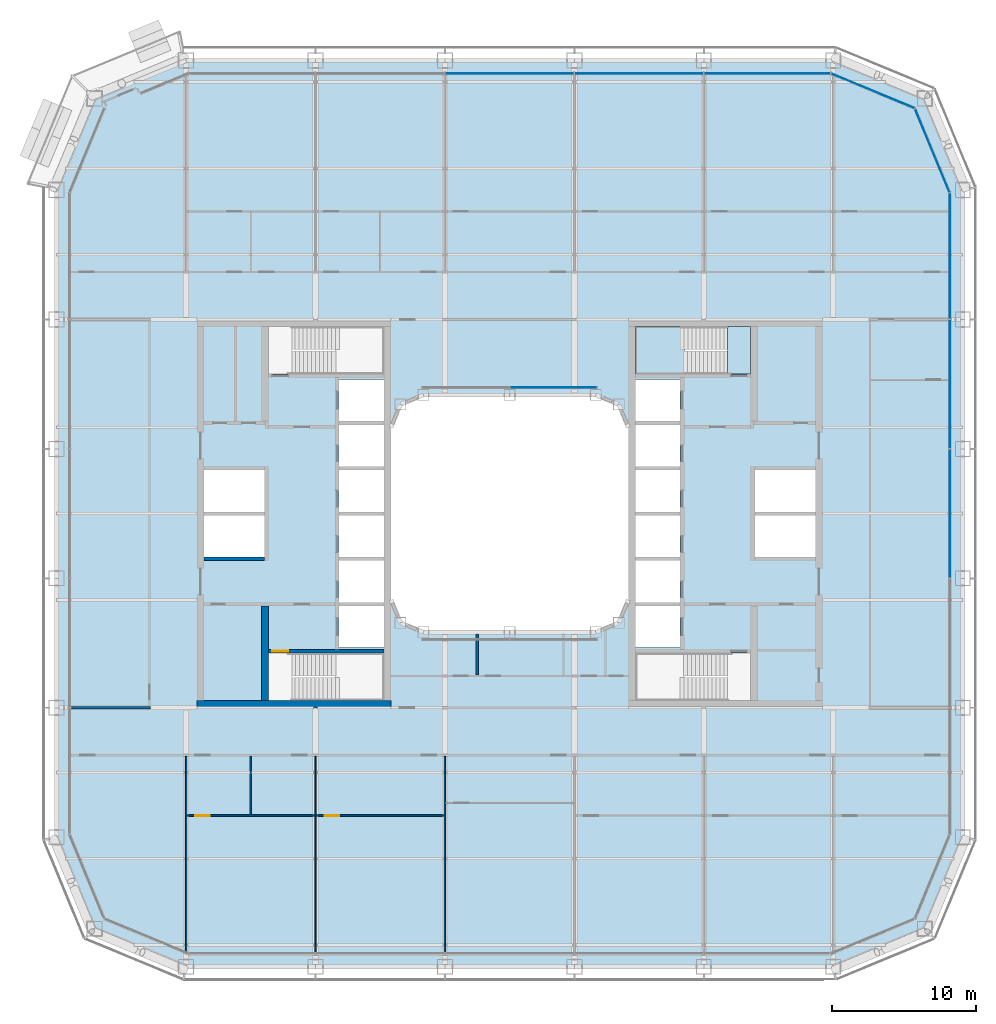
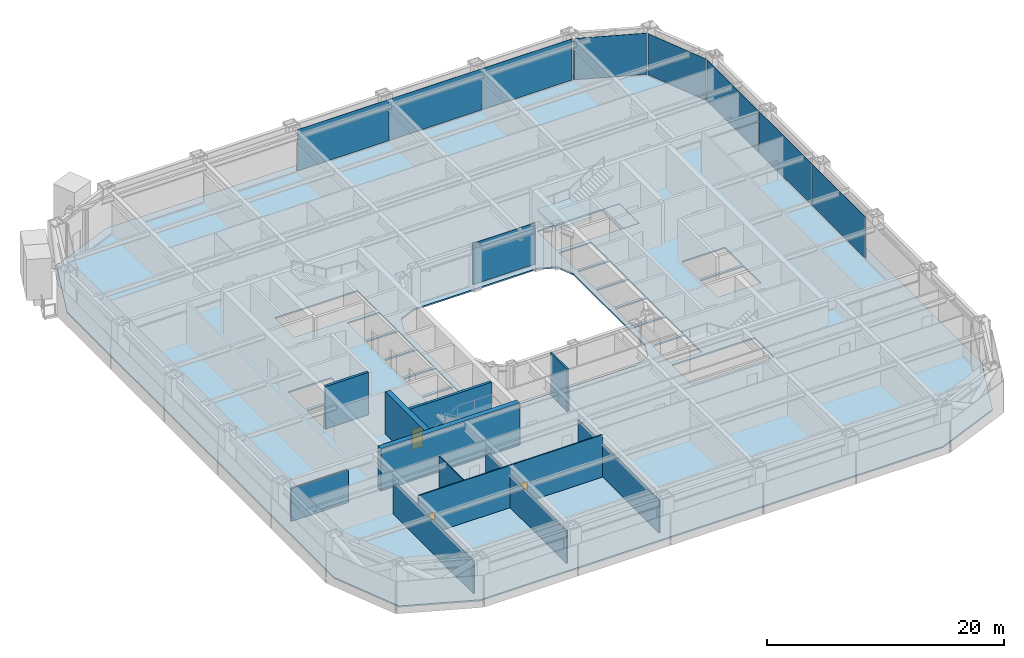
# One storey, part 12 of 29: 12 walls, 9 plates, 3 doors, 3 slabs, 3 openings, 6 elements without a shape of their own.
"""IFC4 building model written with IfcOpenShell, lengths in metres."""

from ifc_helpers import new_model, si_unit, direction, frame, frame_2d, origin, origin_2d, place, context, subcontext, project, spatial, polyline, rectangle, outline, extrude, material, layer, layer_set, type_object, element, fill, aggregate, save


model = new_model("IFC4")

# Units and contexts
model_context = context("Model", 3, precision=1e-05, world=origin(), true_north=direction((0.0, 1.0)))
body_context = subcontext(model_context, "Body", "Model", "MODEL_VIEW")
ifc_project = project(units=[si_unit("LENGTHUNIT", "METRE"), si_unit("AREAUNIT", "SQUARE_METRE"), si_unit("VOLUMEUNIT", "CUBIC_METRE"), si_unit("PLANEANGLEUNIT", "RADIAN"), si_unit("MASSUNIT", "GRAM", prefix="KILO")], contexts=[model_context])

# Site, building, storey
site_placement = place(None, origin())
site = spatial("IfcSite", under=ifc_project, at=site_placement, CompositionType="ELEMENT")
building_placement = place(site_placement, origin())
building = spatial("IfcBuilding", under=site, at=building_placement, Name="Siwar Civic Tower", CompositionType="ELEMENT")
storey_placement = place(building_placement, frame((0.0, 0.0, 49.199951171875)))
storey = spatial("IfcBuildingStorey", under=building, at=storey_placement, Name="L10", CompositionType="ELEMENT", Elevation=49.199951171875)

# Stair, slabs
ifc_material_1 = material(Name="Concrete C40/50", Category="concrete")
stair_type = type_object("IfcStairType", Name="CORE-STAIR", PredefinedType="TWO_STRAIGHT_RUN_STAIR", material=ifc_material_1)
stair_placement = place(storey_placement, origin())
stair = element("IfcStair", 1, at=stair_placement, inside=storey, type_object=stair_type, Name="Exit stair ST3", PredefinedType="TWO_STRAIGHT_RUN_STAIR")
ifc_material_2 = material(Name="Concrete C40/50", Category="concrete")
ifc_layer_1 = layer(ifc_material_2, 0.300048828125)
ifc_layer_set_1 = layer_set([ifc_layer_1], Name="Concrete C40/50")
slab_type_1 = type_object("IfcSlabType", Name="CORE-STAIR-LANDING", PredefinedType="LANDING", material=ifc_layer_set_1)
slab_1_placement = place(storey_placement, frame((0.0, 0.0, -0.300048828125)))
slab_1 = element("IfcSlab", 2, at=slab_1_placement, type_object=slab_type_1, Name="ST3 landing 1", PredefinedType="LANDING", context=body_context, shape_type="SweptSolid", body=[
    extrude(outline(polyline([(15.14990234375, 9.699951171875), (16.75, 9.699951171875), (16.75, 13.0), (15.14990234375, 13.0), (15.14990234375, 9.699951171875)])), origin(), (0.0, 0.0, 1.0), 0.300048828125),
])
slab_2_placement = place(storey_placement, frame((0.0, 0.0, 1.949951171875)))
slab_2 = element("IfcSlab", 3, at=slab_2_placement, type_object=slab_type_1, Name="ST3 landing 2", PredefinedType="LANDING", context=body_context, shape_type="SweptSolid", body=[
    extrude(outline(polyline([(8.75, 9.699951171875), (12.139892578125, 9.699951171875), (12.139892578125, 13.0), (8.75, 13.0), (8.75, 9.699951171875)])), origin(), (0.0, 0.0, 1.0), 0.300048828125),
])
aggregate(stair, [slab_1, slab_2])

# Curtain wall, plates
ifc_material_3 = material(Name="Aluminium and glass", Category="aluminium")
ifc_layer_2 = layer(ifc_material_3, 0.219970703125)
ifc_layer_set_2 = layer_set([ifc_layer_2], Name="Aluminium and glass")
curtain_wall_type_1 = type_object("IfcCurtainWallType", Name="ENV-CW-A", PredefinedType="NOTDEFINED", material=ifc_layer_set_2)
curtain_wall_1_placement = place(storey_placement, origin())
curtain_wall_1 = element("IfcCurtainWall", 4, at=curtain_wall_1_placement, inside=storey, type_object=curtain_wall_type_1, Name="Curtain wall A E", PredefinedType="NOTDEFINED")
ifc_material_4 = material(Name="Glass clear laminated", Category="glass")
ifc_layer_3 = layer(ifc_material_4, 0.035888671875)
ifc_layer_set_3 = layer_set([ifc_layer_3], Name="Glass clear laminated")
plate_type_1 = type_object("IfcPlateType", Name="ENV-PANEL-A", PredefinedType="CURTAIN_PANEL", material=ifc_layer_set_3)
plate_1_placement = place(storey_placement, frame((30.60009765625, 0.0, 0.1201171875), z_axis=(0.0, 0.0, 1.0), x_axis=(0.0, 1.0, 0.0)))
plate_1 = element("IfcPlate", 5, at=plate_1_placement, type_object=plate_type_1, Name="Curtain panel A E 3", PredefinedType="CURTAIN_PANEL", context=body_context, shape_type="SweptSolid", body=[
    extrude(rectangle(XDim=8.929931640625, YDim=0.035888671875, at=origin_2d()), origin(), (0.0, 0.0, 1.0), 4.22998046875),
])
plate_2_placement = place(storey_placement, frame((30.60009765625, 9.0, 0.1201171875), z_axis=(0.0, 0.0, 1.0), x_axis=(0.0, 1.0, 0.0)))
plate_2 = element("IfcPlate", 6, at=plate_2_placement, type_object=plate_type_1, Name="Curtain panel A E 4", PredefinedType="CURTAIN_PANEL", context=body_context, shape_type="SweptSolid", body=[
    extrude(rectangle(XDim=8.929931640625, YDim=0.035888671875, at=origin_2d()), origin(), (0.0, 0.0, 1.0), 4.22998046875),
])
plate_3_placement = place(storey_placement, frame((30.60009765625, 17.86669921875, 0.1201171875), z_axis=(0.0, 0.0, 1.0), x_axis=(0.0, 1.0, 0.0)))
plate_3 = element("IfcPlate", 7, at=plate_3_placement, type_object=plate_type_1, Name="Curtain panel A E 5", PredefinedType="CURTAIN_PANEL", context=body_context, shape_type="SweptSolid", body=[
    extrude(rectangle(XDim=8.663330078125, YDim=0.035888671875, at=origin_2d()), origin(), (0.0, 0.0, 1.0), 4.22998046875),
])
aggregate(curtain_wall_1, [plate_1, plate_2, plate_3])

curtain_wall_2_placement = place(storey_placement, origin())
curtain_wall_2 = element("IfcCurtainWall", 8, at=curtain_wall_2_placement, inside=storey, type_object=curtain_wall_type_1, Name="Curtain wall A N", PredefinedType="NOTDEFINED")
plate_4_placement = place(storey_placement, frame((17.910400390625, 30.60009765625, 0.1201171875), z_axis=(0.0, 0.0, 1.0), x_axis=(-1.0, 0.0, 0.0)))
plate_4 = element("IfcPlate", 9, at=plate_4_placement, type_object=plate_type_1, Name="Curtain panel A N 1", PredefinedType="CURTAIN_PANEL", context=body_context, shape_type="SweptSolid", body=[
    extrude(rectangle(XDim=8.7509765625, YDim=0.035888671875, at=origin_2d()), origin(), (0.0, 0.0, 1.0), 4.22998046875),
])
plate_5_placement = place(storey_placement, frame((9.0, 30.60009765625, 0.1201171875), z_axis=(0.0, 0.0, 1.0), x_axis=(-1.0, 0.0, 0.0)))
plate_5 = element("IfcPlate", 10, at=plate_5_placement, type_object=plate_type_1, Name="Curtain panel A N 2", PredefinedType="CURTAIN_PANEL", context=body_context, shape_type="SweptSolid", body=[
    extrude(rectangle(XDim=8.929931640625, YDim=0.035888671875, at=origin_2d()), origin(), (0.0, 0.0, 1.0), 4.22998046875),
])
plate_6_placement = place(storey_placement, frame((0.0, 30.60009765625, 0.1201171875), z_axis=(0.0, 0.0, 1.0), x_axis=(-1.0, 0.0, 0.0)))
plate_6 = element("IfcPlate", 11, at=plate_6_placement, type_object=plate_type_1, Name="Curtain panel A N 3", PredefinedType="CURTAIN_PANEL", context=body_context, shape_type="SweptSolid", body=[
    extrude(rectangle(XDim=8.929931640625, YDim=0.035888671875, at=origin_2d()), origin(), (0.0, 0.0, 1.0), 4.22998046875),
])
aggregate(curtain_wall_2, [plate_4, plate_5, plate_6])

# Curtain wall, plate
ifc_material_5 = material(Name="Aluminium clad insulated panel", Category="aluminium")
ifc_layer_4 = layer(ifc_material_5, 0.219970703125)
ifc_layer_set_4 = layer_set([ifc_layer_4], Name="Aluminium clad insulated panel")
curtain_wall_type_2 = type_object("IfcCurtainWallType", Name="ENV-CW-AX", PredefinedType="NOTDEFINED", material=ifc_layer_set_4)
curtain_wall_3_placement = place(storey_placement, origin())
curtain_wall_3 = element("IfcCurtainWall", 12, at=curtain_wall_3_placement, inside=storey, type_object=curtain_wall_type_2, Name="Curtain wall A NE1", PredefinedType="NOTDEFINED")
ifc_material_6 = material(Name="Aluminium clad insulated panel", Category="aluminium")
ifc_layer_5 = layer(ifc_material_6, 0.035888671875)
ifc_layer_set_5 = layer_set([ifc_layer_5], Name="Aluminium clad insulated panel")
plate_type_2 = type_object("IfcPlateType", Name="ENV-PANEL-AX", PredefinedType="CURTAIN_PANEL", material=ifc_layer_set_5)
plate_7_placement = place(storey_placement, frame((29.404296875, 25.20751953125, 0.1201171875), z_axis=(0.0, 0.0, 1.0), x_axis=(-0.382683432365, 0.923879532511, 0.0)))
plate_7 = element("IfcPlate", 13, at=plate_7_placement, type_object=plate_type_2, Name="Curtain panel A NE1 1", PredefinedType="CURTAIN_PANEL", context=body_context, shape_type="SweptSolid", body=[
    extrude(rectangle(XDim=6.178955078125, YDim=0.035888671875, at=origin_2d()), origin(), (0.0, 0.0, 1.0), 4.22998046875),
])
aggregate(curtain_wall_3, [plate_7])

curtain_wall_4_placement = place(storey_placement, origin())
curtain_wall_4 = element("IfcCurtainWall", 14, at=curtain_wall_4_placement, inside=storey, type_object=curtain_wall_type_2, Name="Curtain wall A NE2", PredefinedType="NOTDEFINED")
plate_8_placement = place(storey_placement, frame((25.28857421875, 29.370849609375, 0.1201171875), z_axis=(0.0, 0.0, 1.0), x_axis=(-0.923879532511, 0.382683432365, 0.0)))
plate_8 = element("IfcPlate", 15, at=plate_8_placement, type_object=plate_type_2, Name="Curtain panel A NE2 1", PredefinedType="CURTAIN_PANEL", context=body_context, shape_type="SweptSolid", body=[
    extrude(rectangle(XDim=6.178955078125, YDim=0.035888671875, at=origin_2d()), origin(), (0.0, 0.0, 1.0), 4.22998046875),
])
aggregate(curtain_wall_4, [plate_8])

ifc_material_7 = material(Name="Aluminium and glass", Category="aluminium")
ifc_layer_6 = layer(ifc_material_7, 0.179931640625)
ifc_layer_set_6 = layer_set([ifc_layer_6], Name="Aluminium and glass")
curtain_wall_type_3 = type_object("IfcCurtainWallType", Name="ENV-CW-W", PredefinedType="NOTDEFINED", material=ifc_layer_set_6)
curtain_wall_5_placement = place(storey_placement, origin())
curtain_wall_5 = element("IfcCurtainWall", 16, at=curtain_wall_5_placement, inside=storey, type_object=curtain_wall_type_3, Name="Curtain wall W WN", PredefinedType="NOTDEFINED")
ifc_material_8 = material(Name="Glass clear laminated", Category="glass")
ifc_layer_7 = layer(ifc_material_8, 0.031982421875)
ifc_layer_set_7 = layer_set([ifc_layer_7], Name="Glass clear laminated")
plate_type_3 = type_object("IfcPlateType", Name="ENV-PANEL-W", PredefinedType="CURTAIN_PANEL", material=ifc_layer_set_7)
plate_9_placement = place(storey_placement, frame((3.05078125, 8.760009765625, 0.10009765625), z_axis=(0.0, 0.0, 1.0), x_axis=(-1.0, 0.0, 0.0)))
plate_9 = element("IfcPlate", 17, at=plate_9_placement, type_object=plate_type_3, Name="Curtain panel W WN 1", PredefinedType="CURTAIN_PANEL", context=body_context, shape_type="SweptSolid", body=[
    extrude(rectangle(XDim=6.04150390625, YDim=0.031982421875, at=origin_2d()), origin(), (0.0, 0.0, 1.0), 4.25),
])
aggregate(curtain_wall_5, [plate_9])

# Slab
ifc_material_9 = material(Name="Concrete C40/50", Category="concrete")
ifc_layer_8 = layer(ifc_material_9, 0.14990234375)
ifc_layer_set_8 = layer_set([ifc_layer_8], Name="Concrete C40/50")
slab_type_2 = type_object("IfcSlabType", Name="STR-FLOOR-DECK-150", PredefinedType="FLOOR", material=ifc_layer_set_8)
slab_3_placement = place(storey_placement, frame((0.0, 0.0, -0.14990234375)))
element("IfcSlab", 18, at=slab_3_placement, inside=storey, type_object=slab_type_2, Name="L10/slab/1", PredefinedType="FLOOR", context=body_context, shape_type="SweptSolid", body=[
    extrude(outline(polyline([(-22.5, -31.5), (22.5, -31.5), (28.864013671875, -28.864013671875), (31.5, -22.5), (31.5, 22.5), (28.864013671875, 28.864013671875), (22.5, 31.5), (-22.5, 31.5), (-28.864013671875, 28.864013671875), (-31.5, 22.5), (-31.5, -22.5), (-28.864013671875, -28.864013671875), (-22.5, -31.5)]), holes=[polyline([(21.25, 3.02490234375), (21.25, 0.125), (17.050048828125, 0.125), (17.050048828125, 3.02490234375), (21.25, 3.02490234375)]), polyline([(17.050048828125, -0.125), (21.25, -0.125), (21.25, -3.02490234375), (17.050048828125, -3.02490234375), (17.050048828125, -0.125)]), polyline([(16.75, 13.0), (16.75, 9.699951171875), (8.75, 9.699951171875), (8.75, 13.0), (16.75, 13.0)]), polyline([(8.75, -9.699951171875), (16.75, -9.699951171875), (16.75, -13.0), (8.75, -13.0), (8.75, -9.699951171875)]), polyline([(11.85009765625, 9.324951171875), (11.85009765625, 6.425048828125), (8.75, 6.425048828125), (8.75, 9.324951171875), (11.85009765625, 9.324951171875)]), polyline([(11.85009765625, 3.02490234375), (11.85009765625, 0.125), (8.75, 0.125), (8.75, 3.02490234375), (11.85009765625, 3.02490234375)]), polyline([(11.85009765625, -0.125), (11.85009765625, -3.02490234375), (8.75, -3.02490234375), (8.75, -0.125), (11.85009765625, -0.125)]), polyline([(11.85009765625, -3.27490234375), (11.85009765625, -6.175048828125), (8.75, -6.175048828125), (8.75, -3.27490234375), (11.85009765625, -3.27490234375)]), polyline([(8.75, 6.175048828125), (11.85009765625, 6.175048828125), (11.85009765625, 3.27490234375), (8.75, 3.27490234375), (8.75, 6.175048828125)]), polyline([(8.75, -6.425048828125), (11.85009765625, -6.425048828125), (11.85009765625, -9.324951171875), (8.75, -9.324951171875), (8.75, -6.425048828125)]), polyline([(-6.0, 8.25), (6.0, 8.25), (7.591064453125, 7.591064453125), (8.25, 6.0), (8.25, -6.0), (7.591064453125, -7.591064453125), (6.0, -8.25), (-6.0, -8.25), (-7.591064453125, -7.591064453125), (-8.25, -6.0), (-8.25, 6.0), (-7.591064453125, 7.591064453125), (-6.0, 8.25)]), polyline([(-8.75, 9.699951171875), (-16.75, 9.699951171875), (-16.75, 13.0), (-8.75, 13.0), (-8.75, 9.699951171875)]), polyline([(-8.75, 0.125), (-11.85009765625, 0.125), (-11.85009765625, 3.02490234375), (-8.75, 3.02490234375), (-8.75, 0.125)]), polyline([(-8.75, -6.175048828125), (-11.85009765625, -6.175048828125), (-11.85009765625, -3.27490234375), (-8.75, -3.27490234375), (-8.75, -6.175048828125)]), polyline([(-8.75, -9.324951171875), (-11.85009765625, -9.324951171875), (-11.85009765625, -6.425048828125), (-8.75, -6.425048828125), (-8.75, -9.324951171875)]), polyline([(-8.75, -13.0), (-16.75, -13.0), (-16.75, -9.699951171875), (-8.75, -9.699951171875), (-8.75, -13.0)]), polyline([(-11.85009765625, 6.425048828125), (-11.85009765625, 9.324951171875), (-8.75, 9.324951171875), (-8.75, 6.425048828125), (-11.85009765625, 6.425048828125)]), polyline([(-11.85009765625, 3.27490234375), (-11.85009765625, 6.175048828125), (-8.75, 6.175048828125), (-8.75, 3.27490234375), (-11.85009765625, 3.27490234375)]), polyline([(-11.85009765625, -3.02490234375), (-11.85009765625, -0.125), (-8.75, -0.125), (-8.75, -3.02490234375), (-11.85009765625, -3.02490234375)]), polyline([(-21.25, -3.02490234375), (-21.25, -0.125), (-17.050048828125, -0.125), (-17.050048828125, -3.02490234375), (-21.25, -3.02490234375)]), polyline([(-17.050048828125, 0.125), (-21.25, 0.125), (-21.25, 3.02490234375), (-17.050048828125, 3.02490234375), (-17.050048828125, 0.125)])]), origin(), (0.0, 0.0, 1.0), 0.14990234375),
])

# Wall
ifc_material_10 = material(Name="Concrete C60/75", Category="concrete")
ifc_layer_9 = layer(ifc_material_10, 0.25)
ifc_layer_set_9 = layer_set([ifc_layer_9], Name="Concrete C60/75")
wall_type_1 = type_object("IfcWallType", Name="CORE-WALL-RC250", PredefinedType="SHEAR", material=ifc_layer_set_9)
wall_1_placement = place(storey_placement, frame((-17.050048828125, -3.14990234375, 0.0), z_axis=(0.0, 0.0, 1.0), x_axis=(-1.0, 0.0, 0.0)))
element("IfcWall", 19, at=wall_1_placement, inside=storey, type_object=wall_type_1, Name="Core wall W", PredefinedType="SHEAR", context=body_context, shape_type="SweptSolid", body=[
    extrude(rectangle(XDim=4.199951171875, YDim=0.25, at=frame_2d((2.10009765625, 0.0))), origin(), (0.0, 0.0, 1.0), 4.35009765625),
])

# Wall, opening, door
wall_2_placement = place(storey_placement, frame((-8.75, -9.574951171875, 0.0), z_axis=(0.0, 0.0, 1.0), x_axis=(-1.0, 0.0, 0.0)))
wall_2 = element("IfcWall", 20, at=wall_2_placement, inside=storey, type_object=wall_type_1, Name="Core wall W", PredefinedType="SHEAR", context=body_context, shape_type="SweptSolid", body=[
    extrude(rectangle(XDim=8.0, YDim=0.25, at=frame_2d((4.0, 0.0))), origin(), (0.0, 0.0, 1.0), 4.35009765625),
])
opening_1_placement = place(wall_2_placement, frame((6.64990234375, 0.0, 0.0)))
opening_1 = element("IfcOpeningElement", 21, at=opening_1_placement, cuts=wall_2, Name="Opening L10-CW04", PredefinedType="OPENING", context=body_context, shape_type="SweptSolid", body=[
    extrude(rectangle(XDim=1.10009765625, YDim=2.10009765625, at=frame_2d((0.550048828125, 1.050048828125))), frame((0.0, 0.135009765625, 0.0), z_axis=(0.0, -1.0, 0.0), x_axis=(1.0, 0.0, 0.0)), (0.0, 0.0, 1.0), 0.27001953125),
])
ifc_material_11 = material(Name="Steel door leaf", Category="steel")
door_type_1 = type_object("IfcDoorType", Name="CORE-DOOR-FD60S", OperationType="SINGLE_SWING_LEFT", PredefinedType="DOOR", material=ifc_material_11)
door_1_placement = place(opening_1_placement, origin())
door_1 = element("IfcDoor", 22, at=door_1_placement, inside=storey, type_object=door_type_1, Name="Stair door L10-CW04", OperationType="SINGLE_SWING_LEFT", OverallHeight=2.10009765625, OverallWidth=1.10009765625, PredefinedType="DOOR", context=body_context, shape_type="SweptSolid", body=[
    extrude(rectangle(XDim=1.10009765625, YDim=2.10009765625, at=frame_2d((0.550048828125, 1.050048828125))), frame((0.0, 0.02490234375, 0.0), z_axis=(0.0, -1.0, 0.0), x_axis=(1.0, 0.0, 0.0)), (0.0, 0.0, 1.0), 0.050048828125),
])
fill(opening_1, door_1)

# Walls
ifc_material_12 = material(Name="Concrete C60/75", Category="concrete")
ifc_layer_10 = layer(ifc_material_12, 0.5)
ifc_layer_set_10 = layer_set([ifc_layer_10], Name="Concrete C60/75")
wall_type_2 = type_object("IfcWallType", Name="CORE-WALL-RC500", PredefinedType="SHEAR", material=ifc_layer_set_10)
wall_3_placement = place(storey_placement, frame((-17.0, -13.0, 0.0), z_axis=(0.0, 0.0, 1.0), x_axis=(0.0, 1.0, 0.0)))
element("IfcWall", 23, at=wall_3_placement, inside=storey, type_object=wall_type_2, Name="Core wall W", PredefinedType="SHEAR", context=body_context, shape_type="SweptSolid", body=[
    extrude(rectangle(XDim=6.574951171875, YDim=0.5, at=frame_2d((3.28759765625, 0.0))), origin(), (0.0, 0.0, 1.0), 4.35009765625),
])
wall_4_placement = place(storey_placement, frame((-8.25, -13.25, 0.0), z_axis=(0.0, 0.0, 1.0), x_axis=(-1.0, 0.0, 0.0)))
element("IfcWall", 24, at=wall_4_placement, inside=storey, type_object=wall_type_2, Name="Core wall W", PredefinedType="SHEAR", context=body_context, shape_type="SweptSolid", body=[
    extrude(rectangle(XDim=13.5, YDim=0.5, at=frame_2d((6.75, 0.0))), origin(), (0.0, 0.0, 1.0), 4.35009765625),
])
ifc_material_13 = material(Name="Gypsum board on steel studs", Category="steel")
ifc_layer_11 = layer(ifc_material_13, 0.14990234375)
ifc_layer_set_11 = layer_set([ifc_layer_11], Name="Gypsum board on steel studs")
wall_type_3 = type_object("IfcWallType", Name="CORRIDOR PARTITION 150 EI 30", PredefinedType="PARTITIONING", material=ifc_layer_set_11)
wall_5_placement = place(storey_placement, frame((-30.510009765625, -13.5, 0.0), z_axis=(0.0, 0.0, 1.0), x_axis=(1.0, 0.0, 0.0)))
element("IfcWall", 25, at=wall_5_placement, inside=storey, type_object=wall_type_3, Name="L10/wall/P05", PredefinedType="PARTITIONING", context=body_context, shape_type="SweptSolid", body=[
    extrude(rectangle(XDim=5.534912109375, YDim=0.14990234375, at=frame_2d((2.767578125, 0.0))), origin(), (0.0, 0.0, 1.0), 3.35009765625),
])
wall_6_placement = place(storey_placement, frame((-2.25, -11.22509765625, 0.0), z_axis=(0.0, 0.0, 1.0), x_axis=(0.0, 1.0, 0.0)))
element("IfcWall", 26, at=wall_6_placement, inside=storey, type_object=wall_type_3, Name="L10/wall/P29", PredefinedType="PARTITIONING", context=body_context, shape_type="SweptSolid", body=[
    extrude(rectangle(XDim=2.85498046875, YDim=0.14990234375, at=frame_2d((1.427490234375, 0.0))), origin(), (0.0, 0.0, 1.0), 4.35009765625),
])

# Wall, openings, doors
ifc_material_14 = material(Name="Gypsum board on steel studs", Category="steel")
ifc_layer_12 = layer(ifc_material_14, 0.10009765625)
ifc_layer_set_12 = layer_set([ifc_layer_12], Name="Gypsum board on steel studs")
wall_type_4 = type_object("IfcWallType", Name="PARTITION 100 GYPSUM", PredefinedType="PARTITIONING", material=ifc_layer_set_12)
wall_7_placement = place(storey_placement, frame((-22.449951171875, -21.0, 0.0), z_axis=(0.0, 0.0, 1.0), x_axis=(1.0, 0.0, 0.0)))
wall_7 = element("IfcWall", 27, at=wall_7_placement, inside=storey, type_object=wall_type_4, Name="L10/wall/P01", PredefinedType="PARTITIONING", context=body_context, shape_type="SweptSolid", body=[
    extrude(rectangle(XDim=17.89990234375, YDim=0.10009765625, at=frame_2d((8.949951171875, 0.0))), origin(), (0.0, 0.0, 1.0), 4.35009765625),
])
opening_2_placement = place(wall_7_placement, frame((0.60009765625, 0.0, 0.0)))
opening_2 = element("IfcOpeningElement", 28, at=opening_2_placement, cuts=wall_7, Name="Opening D2", PredefinedType="OPENING", context=body_context, shape_type="SweptSolid", body=[
    extrude(rectangle(XDim=1.0, YDim=2.10009765625, at=frame_2d((0.5, 1.050048828125))), frame((0.0, 0.06005859375, 0.0), z_axis=(0.0, -1.0, 0.0), x_axis=(1.0, 0.0, 0.0)), (0.0, 0.0, 1.0), 0.1201171875),
])
opening_3_placement = place(wall_7_placement, frame((9.60009765625, 0.0, 0.0)))
opening_3 = element("IfcOpeningElement", 29, at=opening_3_placement, cuts=wall_7, Name="Opening D2", PredefinedType="OPENING", context=body_context, shape_type="SweptSolid", body=[
    extrude(rectangle(XDim=1.0, YDim=2.10009765625, at=frame_2d((0.5, 1.050048828125))), frame((0.0, 0.06005859375, 0.0), z_axis=(0.0, -1.0, 0.0), x_axis=(1.0, 0.0, 0.0)), (0.0, 0.0, 1.0), 0.1201171875),
])
ifc_material_15 = material(Name="Timber, painted", Category="wood")
door_type_2 = type_object("IfcDoorType", Name="DOOR 1000 X 2100", OperationType="SINGLE_SWING_LEFT", PredefinedType="DOOR", material=ifc_material_15)
door_2_placement = place(opening_2_placement, origin())
door_2 = element("IfcDoor", 30, at=door_2_placement, inside=storey, type_object=door_type_2, Name="L10-D15", OperationType="SINGLE_SWING_LEFT", OverallHeight=2.10009765625, OverallWidth=1.0, PredefinedType="DOOR", context=body_context, shape_type="SweptSolid", body=[
    extrude(rectangle(XDim=1.0, YDim=2.10009765625, at=frame_2d((0.5, 1.050048828125))), frame((0.0, 0.02490234375, 0.0), z_axis=(0.0, -1.0, 0.0), x_axis=(1.0, 0.0, 0.0)), (0.0, 0.0, 1.0), 0.050048828125),
])
fill(opening_2, door_2)
door_3_placement = place(opening_3_placement, origin())
door_3 = element("IfcDoor", 31, at=door_3_placement, inside=storey, type_object=door_type_2, Name="L10-D17", OperationType="SINGLE_SWING_LEFT", OverallHeight=2.10009765625, OverallWidth=1.0, PredefinedType="DOOR", context=body_context, shape_type="SweptSolid", body=[
    extrude(rectangle(XDim=1.0, YDim=2.10009765625, at=frame_2d((0.5, 1.050048828125))), frame((0.0, 0.02490234375, 0.0), z_axis=(0.0, -1.0, 0.0), x_axis=(1.0, 0.0, 0.0)), (0.0, 0.0, 1.0), 0.050048828125),
])
fill(opening_3, door_3)

# Walls
wall_8_placement = place(storey_placement, frame((-22.5, -30.427978515625, 0.0), z_axis=(0.0, 0.0, 1.0), x_axis=(0.0, 1.0, 0.0)))
element("IfcWall", 32, at=wall_8_placement, inside=storey, type_object=wall_type_4, Name="L10/wall/P17", PredefinedType="PARTITIONING", context=body_context, shape_type="SweptSolid", body=[
    extrude(rectangle(XDim=13.552978515625, YDim=0.10009765625, at=frame_2d((6.7763671875, 0.0))), origin(), (0.0, 0.0, 1.0), 3.35009765625),
])
wall_9_placement = place(storey_placement, frame((-18.0, -20.949951171875, 0.0), z_axis=(0.0, 0.0, 1.0), x_axis=(0.0, 1.0, 0.0)))
element("IfcWall", 33, at=wall_9_placement, inside=storey, type_object=wall_type_4, Name="L10/wall/P19", PredefinedType="PARTITIONING", context=body_context, shape_type="SweptSolid", body=[
    extrude(rectangle(XDim=4.074951171875, YDim=0.10009765625, at=frame_2d((2.03759765625, 0.0))), origin(), (0.0, 0.0, 1.0), 4.35009765625),
])
wall_10_placement = place(storey_placement, frame((-13.5, -30.510009765625, 0.0), z_axis=(0.0, 0.0, 1.0), x_axis=(0.0, 1.0, 0.0)))
element("IfcWall", 34, at=wall_10_placement, inside=storey, type_object=wall_type_4, Name="L10/wall/P21", PredefinedType="PARTITIONING", context=body_context, shape_type="SweptSolid", body=[
    extrude(rectangle(XDim=9.4599609375, YDim=0.10009765625, at=frame_2d((4.72998046875, 0.0))), origin(), (0.0, 0.0, 1.0), 3.35009765625),
])
wall_11_placement = place(storey_placement, frame((-13.5, -20.949951171875, 0.0), z_axis=(0.0, 0.0, 1.0), x_axis=(0.0, 1.0, 0.0)))
element("IfcWall", 35, at=wall_11_placement, inside=storey, type_object=wall_type_4, Name="L10/wall/P22", PredefinedType="PARTITIONING", context=body_context, shape_type="SweptSolid", body=[
    extrude(rectangle(XDim=4.074951171875, YDim=0.10009765625, at=frame_2d((2.03759765625, 0.0))), origin(), (0.0, 0.0, 1.0), 3.35009765625),
])
wall_12_placement = place(storey_placement, frame((-4.5, -30.510009765625, 0.0), z_axis=(0.0, 0.0, 1.0), x_axis=(0.0, 1.0, 0.0)))
element("IfcWall", 36, at=wall_12_placement, inside=storey, type_object=wall_type_4, Name="L10/wall/P26", PredefinedType="PARTITIONING", context=body_context, shape_type="SweptSolid", body=[
    extrude(rectangle(XDim=13.635009765625, YDim=0.10009765625, at=frame_2d((6.8173828125, 0.0))), origin(), (0.0, 0.0, 1.0), 3.35009765625),
])

save(model, "model.ifc")
